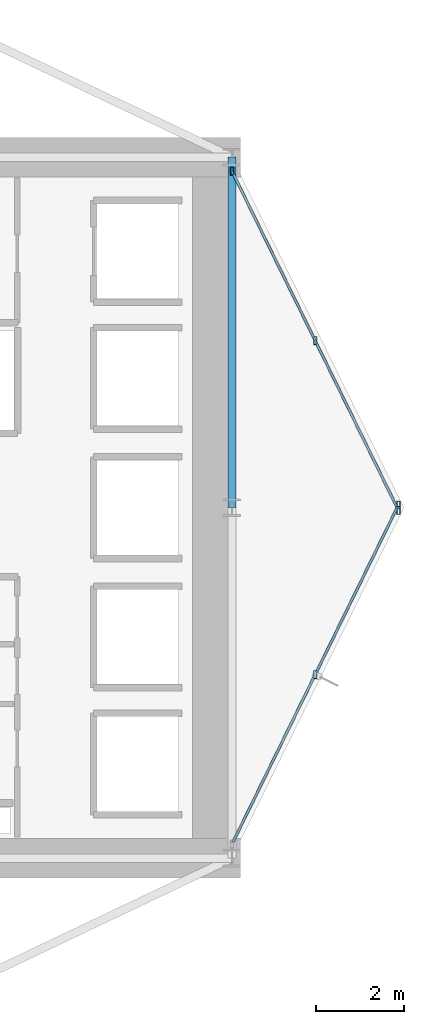
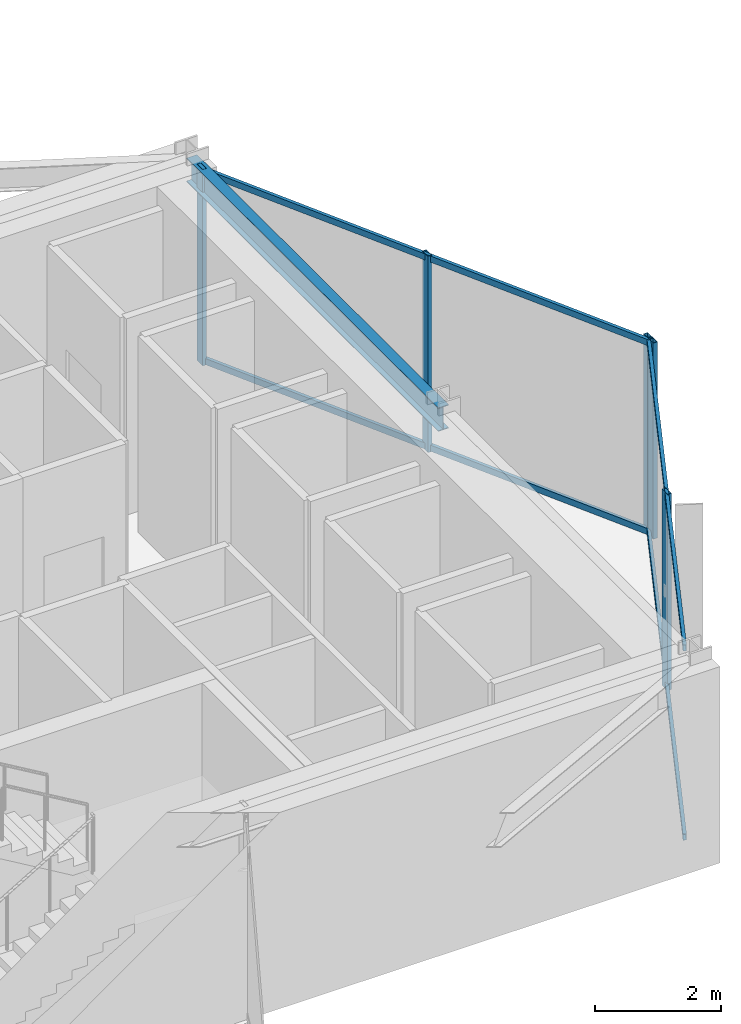
# One storey, part 19 of 31: 9 members, 1 beam, 2 elements without a shape of their own.
"""IFC4 building model written with IfcOpenShell, lengths in metres."""

from ifc_helpers import new_model, si_unit, direction, frame, origin, origin_2d, place, context, subcontext, project, spatial, hollow_rectangle, i_section, extrude, material, layer, layer_set, material_profile, profile_set, type_object, element, aggregate, save


model = new_model("IFC4")

# Units and contexts
model_context = context("Model", 3, precision=1e-05, world=origin(), true_north=direction((0.0, 1.0)))
body_context = subcontext(model_context, "Body", "Model", "MODEL_VIEW")
ifc_project = project(units=[si_unit("LENGTHUNIT", "METRE"), si_unit("AREAUNIT", "SQUARE_METRE"), si_unit("VOLUMEUNIT", "CUBIC_METRE"), si_unit("PLANEANGLEUNIT", "RADIAN"), si_unit("MASSUNIT", "GRAM", prefix="KILO")], contexts=[model_context])

# Site, building, storey
site_placement = place(None, origin())
site = spatial("IfcSite", under=ifc_project, at=site_placement, CompositionType="ELEMENT")
building_placement = place(site_placement, origin())
building = spatial("IfcBuilding", under=site, at=building_placement, Name="Veymaron Broadcast Tower", CompositionType="ELEMENT")
storey_placement = place(building_placement, frame((0.0, 0.0, 70.199951171875)))
storey = spatial("IfcBuildingStorey", under=building, at=storey_placement, Name="L15", CompositionType="ELEMENT", Elevation=70.199951171875)

# Beam
ifc_material_1 = material(Name="Structural steel ASTM A992 Gr 50", Category="steel")
ifc_material_profile_1 = material_profile(ifc_material_1, i_section(OverallWidth=0.19091796875, OverallDepth=0.4599609375, WebThickness=0.010009765625, FlangeThickness=0.01611328125, at=origin_2d()), Name="W460X82")
ifc_profile_set_1 = profile_set([ifc_material_profile_1], Name="Structural steel ASTM A992 Gr 50")
beam_type = type_object("IfcBeamType", Name="BM-SP1", PredefinedType="SPANDREL", material=ifc_profile_set_1)
beam_placement = place(storey_placement, frame((54.60009765625, 24.0, 3.580078125), z_axis=(0.0, 1.0, 0.0), x_axis=(-1.0, 0.0, 0.0)))
element("IfcBeam", 1, at=beam_placement, inside=storey, type_object=beam_type, Name="L15 primary structural floor girder", PredefinedType="SPANDREL", context=body_context, shape_type="SweptSolid", body=[
    extrude(i_section(OverallWidth=0.19091796875, OverallDepth=0.4599609375, WebThickness=0.010009765625, FlangeThickness=0.01611328125, at=origin_2d()), origin(), (0.0, 0.0, 1.0), 8.0),
])

# Curtain wall, members
ifc_material_2 = material(Name="Anodised aluminium AA 6063-T6 and laminated low-E dark glass", Category="aluminium")
ifc_layer = layer(ifc_material_2, 0.179931640625)
ifc_layer_set = layer_set([ifc_layer], Name="Anodised aluminium AA 6063-T6 and laminated low-E dark glass")
curtain_wall_type = type_object("IfcCurtainWallType", Name="CW-SYS-02", PredefinedType="NOTDEFINED", material=ifc_layer_set)
curtain_wall_1_placement = place(storey_placement, origin())
curtain_wall_1 = element("IfcCurtainWall", 2, at=curtain_wall_1_placement, inside=storey, type_object=curtain_wall_type, Name="L15 dark-glass curtain wall CW-L15-E2-1", PredefinedType="NOTDEFINED")
ifc_material_3 = material(Name="Anodised aluminium AA 6063-T6", Category="aluminium")
ifc_material_profile_2 = material_profile(ifc_material_3, hollow_rectangle(XDim=0.074951171875, YDim=0.179931640625, WallThickness=0.0048828125, at=origin_2d()), Name="AL180X75X5")
ifc_profile_set_2 = profile_set([ifc_material_profile_2], Name="Anodised aluminium AA 6063-T6")
member_type_1 = type_object("IfcMemberType", Name="CW-MUL-02", PredefinedType="MULLION", material=ifc_profile_set_2)
member_1_placement = place(storey_placement, frame((56.500732421875, 20.189697265625, 0.0), z_axis=(0.0, 0.0, 1.0), x_axis=(1.0, 0.0, 0.0)))
member_1 = element("IfcMember", 3, at=member_1_placement, type_object=member_type_1, Name="CW-L15-E2-1 mullion 1", PredefinedType="MULLION", context=body_context, shape_type="SweptSolid", body=[
    extrude(hollow_rectangle(XDim=0.074951171875, YDim=0.179931640625, WallThickness=0.0048828125, at=origin_2d()), origin(), (0.0, 0.0, 1.0), 3.81005859375),
])
member_2_placement = place(storey_placement, frame((58.4013671875, 24.061767578125, 0.0), z_axis=(0.0, 0.0, 1.0), x_axis=(1.0, 0.0, 0.0)))
member_2 = element("IfcMember", 4, at=member_2_placement, type_object=member_type_1, Name="CW-L15-E2-1 mullion 2", PredefinedType="MULLION", context=body_context, shape_type="SweptSolid", body=[
    extrude(hollow_rectangle(XDim=0.074951171875, YDim=0.179931640625, WallThickness=0.0048828125, at=origin_2d()), origin(), (0.0, 0.0, 1.0), 3.81005859375),
])

curtain_wall_2_placement = place(storey_placement, origin())
curtain_wall_2 = element("IfcCurtainWall", 5, at=curtain_wall_2_placement, inside=storey, type_object=curtain_wall_type, Name="L15 dark-glass curtain wall CW-L15-E3-1", PredefinedType="NOTDEFINED")
member_3_placement = place(storey_placement, frame((58.4013671875, 23.938232421875, 0.0), z_axis=(0.0, 0.0, 1.0), x_axis=(1.0, 0.0, 0.0)))
member_3 = element("IfcMember", 6, at=member_3_placement, type_object=member_type_1, Name="CW-L15-E3-1 mullion 0", PredefinedType="MULLION", context=body_context, shape_type="SweptSolid", body=[
    extrude(hollow_rectangle(XDim=0.074951171875, YDim=0.179931640625, WallThickness=0.0048828125, at=origin_2d()), origin(), (0.0, 0.0, 1.0), 3.81005859375),
])
member_4_placement = place(storey_placement, frame((56.500732421875, 27.810302734375, 0.0), z_axis=(0.0, 0.0, 1.0), x_axis=(1.0, 0.0, 0.0)))
member_4 = element("IfcMember", 7, at=member_4_placement, type_object=member_type_1, Name="CW-L15-E3-1 mullion 1", PredefinedType="MULLION", context=body_context, shape_type="SweptSolid", body=[
    extrude(hollow_rectangle(XDim=0.074951171875, YDim=0.179931640625, WallThickness=0.0048828125, at=origin_2d()), origin(), (0.0, 0.0, 1.0), 3.81005859375),
])
member_5_placement = place(storey_placement, frame((54.60009765625, 31.68212890625, 0.0), z_axis=(0.0, 0.0, 1.0), x_axis=(1.0, 0.0, 0.0)))
member_5 = element("IfcMember", 8, at=member_5_placement, type_object=member_type_1, Name="CW-L15-E3-1 mullion 2", PredefinedType="MULLION", context=body_context, shape_type="SweptSolid", body=[
    extrude(hollow_rectangle(XDim=0.074951171875, YDim=0.179931640625, WallThickness=0.0048828125, at=origin_2d()), origin(), (0.0, 0.0, 1.0), 3.81005859375),
])

# Member
ifc_material_profile_3 = material_profile(ifc_material_3, hollow_rectangle(XDim=0.06005859375, YDim=0.1201171875, WallThickness=0.00390625, at=origin_2d()), Name="AL120X60X4")
ifc_profile_set_3 = profile_set([ifc_material_profile_3], Name="Anodised aluminium AA 6063-T6")
member_type_2 = type_object("IfcMemberType", Name="CW-TRN-02", PredefinedType="USERDEFINED", material=ifc_profile_set_3)
member_6_placement = place(storey_placement, frame((54.6220703125, 16.36279296875, 0.070068359375), z_axis=(0.440661864018, 0.897673170814, 0.0), x_axis=(-0.897673170814, 0.440661864018, 0.0)))
member_6 = element("IfcMember", 9, at=member_6_placement, type_object=member_type_2, Name="CW-L15-E2-1 transom B", ObjectType="TRANSOM", PredefinedType="USERDEFINED", context=body_context, shape_type="SweptSolid", body=[
    extrude(hollow_rectangle(XDim=0.06005859375, YDim=0.1201171875, WallThickness=0.00390625, at=origin_2d()), origin(), (0.0, 0.0, 1.0), 8.526611328125),
])

member_7_placement = place(storey_placement, frame((54.6220703125, 16.36279296875, 3.739990234375), z_axis=(0.440661864018, 0.897673170814, 0.0), x_axis=(-0.897673170814, 0.440661864018, 0.0)))
member_7 = element("IfcMember", 10, at=member_7_placement, type_object=member_type_2, Name="CW-L15-E2-1 transom T", ObjectType="TRANSOM", PredefinedType="USERDEFINED", context=body_context, shape_type="SweptSolid", body=[
    extrude(hollow_rectangle(XDim=0.06005859375, YDim=0.1201171875, WallThickness=0.00390625, at=origin_2d()), origin(), (0.0, 0.0, 1.0), 8.526611328125),
])

aggregate(curtain_wall_1, [member_1, member_2, member_6, member_7])

member_8_placement = place(storey_placement, frame((58.37939453125, 23.983154296875, 0.070068359375), z_axis=(-0.440661864018, 0.897673170814, 0.0), x_axis=(-0.897673170814, -0.440661864018, 0.0)))
member_8 = element("IfcMember", 11, at=member_8_placement, type_object=member_type_2, Name="CW-L15-E3-1 transom B", ObjectType="TRANSOM", PredefinedType="USERDEFINED", context=body_context, shape_type="SweptSolid", body=[
    extrude(hollow_rectangle(XDim=0.06005859375, YDim=0.1201171875, WallThickness=0.00390625, at=origin_2d()), origin(), (0.0, 0.0, 1.0), 8.526611328125),
])

member_9_placement = place(storey_placement, frame((58.37939453125, 23.983154296875, 3.739990234375), z_axis=(-0.440661864018, 0.897673170814, 0.0), x_axis=(-0.897673170814, -0.440661864018, 0.0)))
member_9 = element("IfcMember", 12, at=member_9_placement, type_object=member_type_2, Name="CW-L15-E3-1 transom T", ObjectType="TRANSOM", PredefinedType="USERDEFINED", context=body_context, shape_type="SweptSolid", body=[
    extrude(hollow_rectangle(XDim=0.06005859375, YDim=0.1201171875, WallThickness=0.00390625, at=origin_2d()), origin(), (0.0, 0.0, 1.0), 8.526611328125),
])

aggregate(curtain_wall_2, [member_3, member_4, member_5, member_8, member_9])

save(model, "model.ifc")
